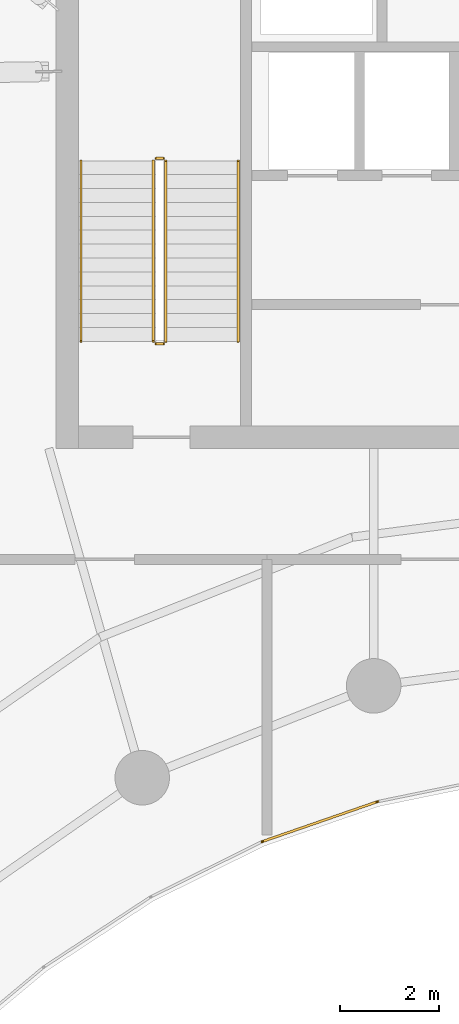
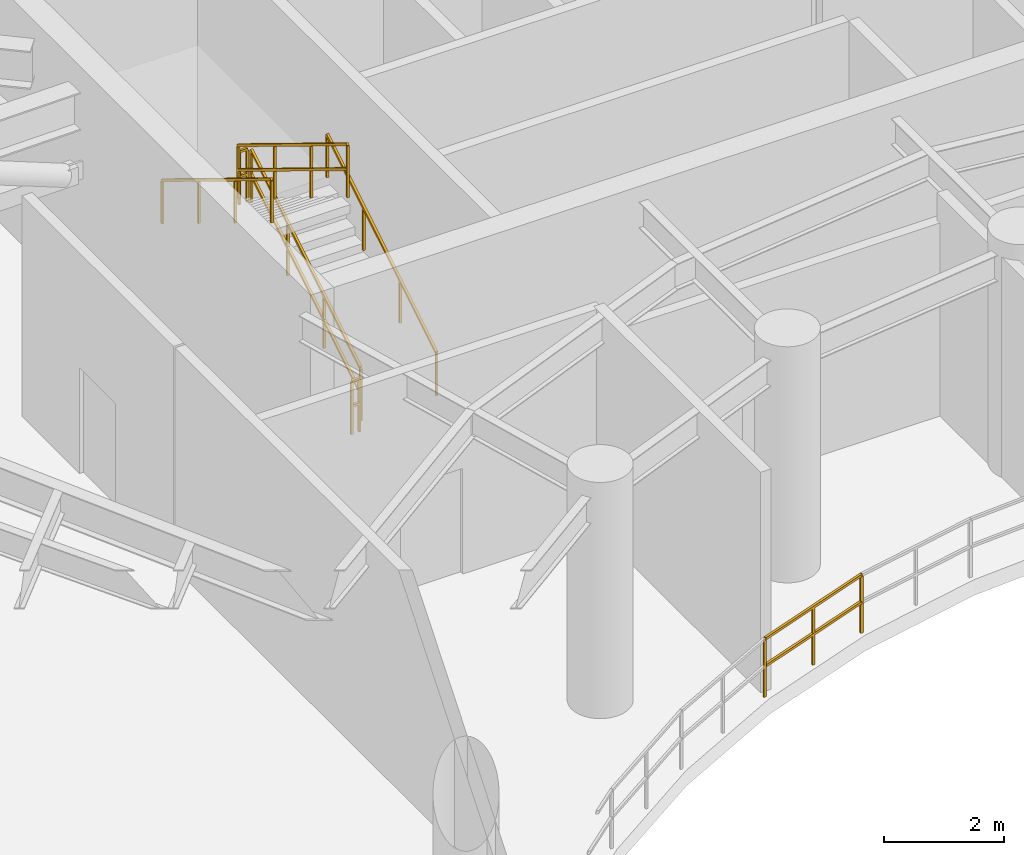
# One storey, part 17 of 24: 9 railings.
"""IFC4 building model written with IfcOpenShell, lengths in metres."""

from ifc_helpers import new_model, si_unit, direction, frame, origin, origin_2d, place, context, subcontext, project, spatial, rectangle, extrude, material, type_object, element, save


model = new_model("IFC4")

# Units and contexts
model_context = context("Model", 3, precision=1e-05, world=origin(), true_north=direction((0.0, 1.0)))
body_context = subcontext(model_context, "Body", "Model", "MODEL_VIEW")
ifc_project = project(units=[si_unit("LENGTHUNIT", "METRE"), si_unit("AREAUNIT", "SQUARE_METRE"), si_unit("VOLUMEUNIT", "CUBIC_METRE"), si_unit("PLANEANGLEUNIT", "RADIAN"), si_unit("MASSUNIT", "GRAM", prefix="KILO")], contexts=[model_context])

# Site, building, storey
site_placement = place(None, origin())
site = spatial("IfcSite", under=ifc_project, at=site_placement, CompositionType="ELEMENT")
building_placement = place(site_placement, origin())
building = spatial("IfcBuilding", under=site, at=building_placement, Name="Breltana Convention Tower", CompositionType="ELEMENT")
storey_placement = place(building_placement, frame((0.0, 0.0, 189.60009765625)))
storey = spatial("IfcBuildingStorey", under=building, at=storey_placement, Name="L46", CompositionType="ELEMENT", Elevation=189.60009765625)

# Railings
ifc_material_1 = material(Name="Steel S275 Painted", Category="steel")
railing_type_1 = type_object("IfcRailingType", Name="RL-STAIR-GUARD-1100", PredefinedType="GUARDRAIL", material=ifc_material_1)
railing_1_placement = place(storey_placement, frame((38.9599609375, 62.360107421875, 0.17138671875)))
element("IfcRailing", 1, at=railing_1_placement, inside=storey, type_object=railing_type_1, Name="L46 ST-1 stair guard 1", PredefinedType="GUARDRAIL", context=body_context, shape_type="SweptSolid", body=[
    extrude(rectangle(XDim=0.048095703125, YDim=0.048095703125, at=origin_2d()), frame((0.0, 0.0, 1.076171875), z_axis=(0.0, 0.852850264322, 0.5221555579), x_axis=(-1.0, 0.0, 0.0)), (0.0, 0.0, 1.0), 4.267822265625),
    extrude(rectangle(XDim=0.048095703125, YDim=0.048095703125, at=origin_2d()), frame((0.0, 0.0, 0.572021484375), z_axis=(0.0, 0.852850264322, 0.5221555579), x_axis=(-1.0, 0.0, 0.0)), (0.0, 0.0, 1.0), 4.267822265625),
    extrude(rectangle(XDim=0.0419921875, YDim=0.0419921875, at=origin_2d()), origin(), (0.0, 0.0, 1.0), 1.052001953125),
    extrude(rectangle(XDim=0.0419921875, YDim=0.0419921875, at=origin_2d()), frame((0.0, 1.21337890625, 0.742919921875)), (0.0, 0.0, 1.0), 1.052001953125),
    extrude(rectangle(XDim=0.0419921875, YDim=0.0419921875, at=origin_2d()), frame((0.0, 2.426513671875, 1.485595703125)), (0.0, 0.0, 1.0), 1.052001953125),
    extrude(rectangle(XDim=0.0419921875, YDim=0.0419921875, at=origin_2d()), frame((0.0, 3.639892578125, 2.228515625)), (0.0, 0.0, 1.0), 1.052001953125),
])
railing_2_placement = place(storey_placement, frame((38.909912109375, 66.050048828125, 2.39990234375)))
element("IfcRailing", 2, at=railing_2_placement, inside=storey, type_object=railing_type_1, Name="L46 ST-1 stair guard 2", PredefinedType="GUARDRAIL", context=body_context, shape_type="SweptSolid", body=[
    extrude(rectangle(XDim=0.048095703125, YDim=0.048095703125, at=origin_2d()), frame((0.0, 0.0, 1.076171875), z_axis=(-1.0, 0.0, 0.0), x_axis=(0.0, -1.0, 0.0)), (0.0, 0.0, 1.0), 0.14990234375),
    extrude(rectangle(XDim=0.048095703125, YDim=0.048095703125, at=origin_2d()), frame((0.0, 0.0, 0.572021484375), z_axis=(-1.0, 0.0, 0.0), x_axis=(0.0, -1.0, 0.0)), (0.0, 0.0, 1.0), 0.14990234375),
    extrude(rectangle(XDim=0.0419921875, YDim=0.0419921875, at=origin_2d()), origin(), (0.0, 0.0, 1.0), 1.052001953125),
    extrude(rectangle(XDim=0.0419921875, YDim=0.0419921875, at=origin_2d()), frame((-0.14990234375, 0.0, 0.0)), (0.0, 0.0, 1.0), 1.052001953125),
])
railing_3_placement = place(storey_placement, frame((38.7099609375, 66.0, 2.5712890625)))
element("IfcRailing", 3, at=railing_3_placement, inside=storey, type_object=railing_type_1, Name="L46 ST-1 stair guard 3", PredefinedType="GUARDRAIL", context=body_context, shape_type="SweptSolid", body=[
    extrude(rectangle(XDim=0.048095703125, YDim=0.048095703125, at=origin_2d()), frame((0.0, 0.0, 1.076171875), z_axis=(0.0, -0.852850264322, 0.5221555579), x_axis=(1.0, 0.0, 0.0)), (0.0, 0.0, 1.0), 4.267822265625),
    extrude(rectangle(XDim=0.048095703125, YDim=0.048095703125, at=origin_2d()), frame((0.0, 0.0, 0.572021484375), z_axis=(0.0, -0.852850264322, 0.5221555579), x_axis=(1.0, 0.0, 0.0)), (0.0, 0.0, 1.0), 4.267822265625),
    extrude(rectangle(XDim=0.0419921875, YDim=0.0419921875, at=origin_2d()), origin(), (0.0, 0.0, 1.0), 1.052001953125),
    extrude(rectangle(XDim=0.0419921875, YDim=0.0419921875, at=origin_2d()), frame((0.0, -1.21337890625, 0.742919921875)), (0.0, 0.0, 1.0), 1.052001953125),
    extrude(rectangle(XDim=0.0419921875, YDim=0.0419921875, at=origin_2d()), frame((0.0, -2.426513671875, 1.485595703125)), (0.0, 0.0, 1.0), 1.052001953125),
    extrude(rectangle(XDim=0.0419921875, YDim=0.0419921875, at=origin_2d()), frame((0.0, -3.639892578125, 2.228515625)), (0.0, 0.0, 1.0), 1.052001953125),
])
railing_4_placement = place(storey_placement, frame((38.909912109375, 62.31005859375, 0.0)))
element("IfcRailing", 4, at=railing_4_placement, inside=storey, type_object=railing_type_1, Name="L46 ST-1 stair guard 4", PredefinedType="GUARDRAIL", context=body_context, shape_type="SweptSolid", body=[
    extrude(rectangle(XDim=0.048095703125, YDim=0.048095703125, at=origin_2d()), frame((0.0, 0.0, 1.076171875), z_axis=(-1.0, 0.0, 0.0), x_axis=(0.0, -1.0, 0.0)), (0.0, 0.0, 1.0), 0.14990234375),
    extrude(rectangle(XDim=0.048095703125, YDim=0.048095703125, at=origin_2d()), frame((0.0, 0.0, 0.572021484375), z_axis=(-1.0, 0.0, 0.0), x_axis=(0.0, -1.0, 0.0)), (0.0, 0.0, 1.0), 0.14990234375),
    extrude(rectangle(XDim=0.0419921875, YDim=0.0419921875, at=origin_2d()), origin(), (0.0, 0.0, 1.0), 1.052001953125),
    extrude(rectangle(XDim=0.0419921875, YDim=0.0419921875, at=origin_2d()), frame((-0.14990234375, 0.0, 0.0)), (0.0, 0.0, 1.0), 1.052001953125),
])
ifc_material_2 = material(Name="Stainless Steel 316L", Category="steel")
railing_type_2 = type_object("IfcRailingType", Name="RL-STAIR-HANDRAIL-900", PredefinedType="HANDRAIL", material=ifc_material_2)
railing_5_placement = place(storey_placement, frame((40.419921875, 62.360107421875, 0.17138671875)))
element("IfcRailing", 5, at=railing_5_placement, inside=storey, type_object=railing_type_2, Name="L46 ST-1 stair handrail 1", PredefinedType="HANDRAIL", context=body_context, shape_type="SweptSolid", body=[
    extrude(rectangle(XDim=0.048095703125, YDim=0.048095703125, at=origin_2d()), frame((0.0, 0.0, 0.8759765625), z_axis=(0.0, 0.852850264322, 0.5221555579), x_axis=(-1.0, 0.0, 0.0)), (0.0, 0.0, 1.0), 4.267822265625),
    extrude(rectangle(XDim=0.0419921875, YDim=0.0419921875, at=origin_2d()), origin(), (0.0, 0.0, 1.0), 0.851806640625),
    extrude(rectangle(XDim=0.0419921875, YDim=0.0419921875, at=origin_2d()), frame((0.0, 1.21337890625, 0.742919921875)), (0.0, 0.0, 1.0), 0.851806640625),
    extrude(rectangle(XDim=0.0419921875, YDim=0.0419921875, at=origin_2d()), frame((0.0, 2.426513671875, 1.485595703125)), (0.0, 0.0, 1.0), 0.851806640625),
    extrude(rectangle(XDim=0.0419921875, YDim=0.0419921875, at=origin_2d()), frame((0.0, 3.639892578125, 2.228515625)), (0.0, 0.0, 1.0), 0.851806640625),
])
railing_6_placement = place(storey_placement, frame((37.25, 66.0, 2.5712890625)))
element("IfcRailing", 6, at=railing_6_placement, inside=storey, type_object=railing_type_2, Name="L46 ST-1 stair handrail 2", PredefinedType="HANDRAIL", context=body_context, shape_type="SweptSolid", body=[
    extrude(rectangle(XDim=0.048095703125, YDim=0.048095703125, at=origin_2d()), frame((0.0, 0.0, 0.8759765625), z_axis=(0.0, -0.852850264322, 0.5221555579), x_axis=(1.0, 0.0, 0.0)), (0.0, 0.0, 1.0), 4.267822265625),
    extrude(rectangle(XDim=0.0419921875, YDim=0.0419921875, at=origin_2d()), origin(), (0.0, 0.0, 1.0), 0.851806640625),
    extrude(rectangle(XDim=0.0419921875, YDim=0.0419921875, at=origin_2d()), frame((0.0, -1.21337890625, 0.742919921875)), (0.0, 0.0, 1.0), 0.851806640625),
    extrude(rectangle(XDim=0.0419921875, YDim=0.0419921875, at=origin_2d()), frame((0.0, -2.426513671875, 1.485595703125)), (0.0, 0.0, 1.0), 0.851806640625),
    extrude(rectangle(XDim=0.0419921875, YDim=0.0419921875, at=origin_2d()), frame((0.0, -3.639892578125, 2.228515625)), (0.0, 0.0, 1.0), 0.851806640625),
])
railing_type_3 = type_object("IfcRailingType", Name="RL-WIND-GUARD-1200", PredefinedType="BALUSTRADE", material=ifc_material_2)
railing_7_placement = place(storey_placement, frame((43.234619140625, 53.076171875, 0.0)))
element("IfcRailing", 7, at=railing_7_placement, inside=storey, type_object=railing_type_3, Name="L46 perimeter balustrade 29", PredefinedType="BALUSTRADE", context=body_context, shape_type="SweptSolid", body=[
    extrude(rectangle(XDim=0.048095703125, YDim=0.048095703125, at=origin_2d()), frame((0.0, 0.0, 1.17578125), z_axis=(-0.960823591181, -0.277160651302, 0.0), x_axis=(0.277160651302, -0.960823591181, 0.0)), (0.0, 0.0, 1.0), 0.01318359375),
    extrude(rectangle(XDim=0.048095703125, YDim=0.048095703125, at=origin_2d()), frame((0.0, 0.0, 0.6240234375), z_axis=(-0.960823591181, -0.277160651302, 0.0), x_axis=(0.277160651302, -0.960823591181, 0.0)), (0.0, 0.0, 1.0), 0.01318359375),
    extrude(rectangle(XDim=0.0419921875, YDim=0.0419921875, at=origin_2d()), origin(), (0.0, 0.0, 1.0), 1.15185546875),
    extrude(rectangle(XDim=0.0419921875, YDim=0.0419921875, at=origin_2d()), frame((-0.0126953125, -0.003662109375, 0.0)), (0.0, 0.0, 1.0), 1.15185546875),
])
railing_8_placement = place(storey_placement, frame((43.221923828125, 53.072509765625, 0.0)))
element("IfcRailing", 8, at=railing_8_placement, inside=storey, type_object=railing_type_3, Name="L46 perimeter balustrade 30", PredefinedType="BALUSTRADE", context=body_context, shape_type="SweptSolid", body=[
    extrude(rectangle(XDim=0.048095703125, YDim=0.048095703125, at=origin_2d()), frame((0.0, 0.0, 1.17578125), z_axis=(-0.944895881639, -0.327371001865, 0.0), x_axis=(0.327371001865, -0.944895881639, 0.0)), (0.0, 0.0, 1.0), 2.44677734375),
    extrude(rectangle(XDim=0.048095703125, YDim=0.048095703125, at=origin_2d()), frame((0.0, 0.0, 0.6240234375), z_axis=(-0.944895881639, -0.327371001865, 0.0), x_axis=(0.327371001865, -0.944895881639, 0.0)), (0.0, 0.0, 1.0), 2.44677734375),
    extrude(rectangle(XDim=0.0419921875, YDim=0.0419921875, at=origin_2d()), origin(), (0.0, 0.0, 1.0), 1.15185546875),
    extrude(rectangle(XDim=0.0419921875, YDim=0.0419921875, at=origin_2d()), frame((-1.156005859375, -0.400390625, 0.0)), (0.0, 0.0, 1.0), 1.15185546875),
    extrude(rectangle(XDim=0.0419921875, YDim=0.0419921875, at=origin_2d()), frame((-2.31201171875, -0.801025390625, 0.0)), (0.0, 0.0, 1.0), 1.15185546875),
])
railing_9_placement = place(storey_placement, frame((40.909912109375, 52.271484375, 0.0)))
element("IfcRailing", 9, at=railing_9_placement, inside=storey, type_object=railing_type_3, Name="L46 perimeter balustrade 31", PredefinedType="BALUSTRADE", context=body_context, shape_type="SweptSolid", body=[
    extrude(rectangle(XDim=0.048095703125, YDim=0.048095703125, at=origin_2d()), frame((0.0, 0.0, 1.17578125), z_axis=(-0.923076923077, -0.384615384615, 0.0), x_axis=(0.384615384615, -0.923076923077, 0.0)), (0.0, 0.0, 1.0), 0.0126953125),
    extrude(rectangle(XDim=0.048095703125, YDim=0.048095703125, at=origin_2d()), frame((0.0, 0.0, 0.6240234375), z_axis=(-0.923076923077, -0.384615384615, 0.0), x_axis=(0.384615384615, -0.923076923077, 0.0)), (0.0, 0.0, 1.0), 0.0126953125),
    extrude(rectangle(XDim=0.0419921875, YDim=0.0419921875, at=origin_2d()), origin(), (0.0, 0.0, 1.0), 1.15185546875),
    extrude(rectangle(XDim=0.0419921875, YDim=0.0419921875, at=origin_2d()), frame((-0.01171875, -0.0048828125, 0.0)), (0.0, 0.0, 1.0), 1.15185546875),
])

save(model, "model.ifc")
